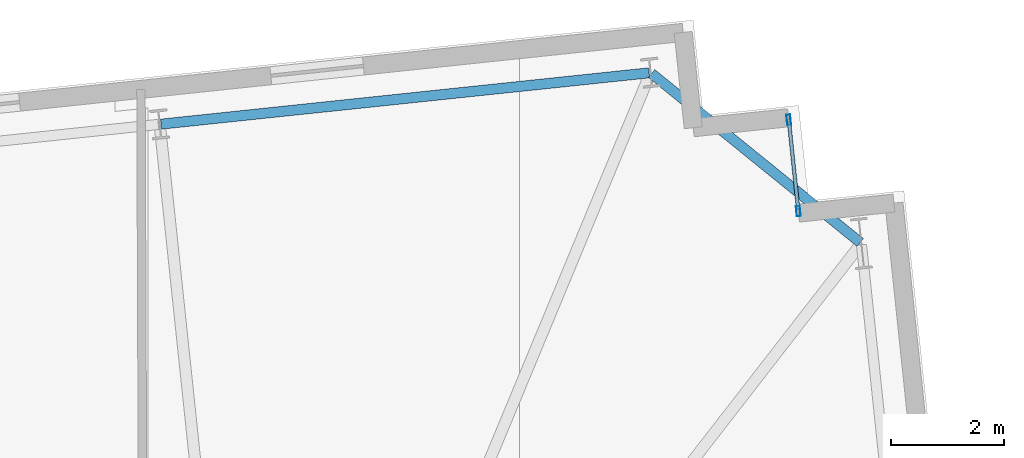
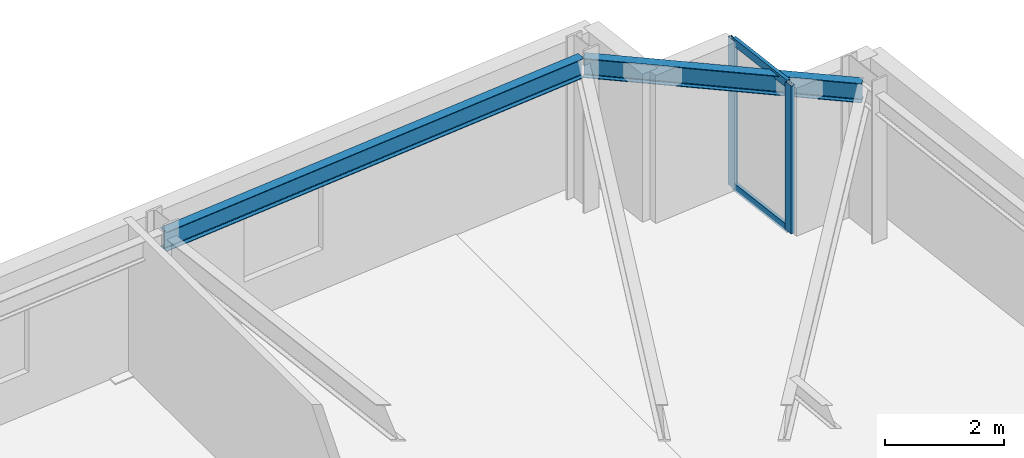
# One storey, part 10 of 20: 4 members, 2 beams, 1 element without a shape of its own.
"""IFC4 building model written with IfcOpenShell, lengths in metres."""

import ifcopenshell
import ifcopenshell.guid

model = None  # the IFC model being written
_history = None  # IfcOwnerHistory: only IFC2X3 demands one
_inside = {}  # id of a spatial element -> (the spatial element, [elements in it])
_under = {}  # id of a project, library or spatial element -> (it, [spatial elements below it])
_declared = {}  # id of a project -> (the project, [libraries it declares])
_typed = {}  # id of a type object -> (the type object, [elements of that type])
_made_of = {}  # id of a material, layer set ... -> (it, [elements and type objects made of it])


def new_model(schema):
    """Start an empty IFC model of exactly this schema.

    Asked for "IFC4X3", IfcOpenShell would pick the latest addendum, in which some entities
    have other attributes; the version numbers below select the first issue.
    IFC2X3 requires an IfcOwnerHistory on every rooted entity: one is made here for all.
    """
    global model, _history
    if schema == "IFC4X3":
        model = ifcopenshell.file(schema_version=(4, 3, 0, 0))
    else:
        model = ifcopenshell.file(schema=schema)
    _inside.clear()
    _under.clear()
    _declared.clear()
    _typed.clear()
    _made_of.clear()
    _history = None
    if model.schema == "IFC2X3":
        org = make("IfcOrganization", Name="unknown")
        user = make(
            "IfcPersonAndOrganization",
            ThePerson=make("IfcPerson", FamilyName="unknown"),
            TheOrganization=org,
        )
        app = make(
            "IfcApplication",
            ApplicationDeveloper=org,
            Version="unknown",
            ApplicationFullName="unknown",
            ApplicationIdentifier="unknown",
        )
        _history = make(
            "IfcOwnerHistory",
            OwningUser=user,
            OwningApplication=app,
            ChangeAction="ADDED",
            CreationDate=0,
        )
    return model


def make(cls, **values):
    """One entity of the class cls with the attributes given. An attribute that is None is left unset."""
    return model.create_entity(
        cls, **{name: value for name, value in values.items() if value is not None}
    )


def rooted(cls, **values):
    """An entity with a GlobalId (a new one), such as an element, a storey or a relation."""
    return make(cls, GlobalId=ifcopenshell.guid.new(), OwnerHistory=_history, **values)


def si_unit(unit_type, name, prefix=None):
    """IfcSIUnit, for example si_unit("LENGTHUNIT", "METRE", prefix="MILLI")."""
    return make("IfcSIUnit", UnitType=unit_type, Prefix=prefix, Name=name)


def assignment(units):
    """IfcUnitAssignment: the units of a project."""
    return None if units is None else make("IfcUnitAssignment", Units=units)


def point(xyz):
    """IfcCartesianPoint."""
    return None if xyz is None else make("IfcCartesianPoint", Coordinates=xyz)


def direction(xyz):
    """IfcDirection."""
    return None if xyz is None else make("IfcDirection", DirectionRatios=xyz)


def frame(location, z_axis=None, x_axis=None):
    """IfcAxis2Placement3D, a coordinate frame: its origin and axes. An axis left out is left unset."""
    return make(
        "IfcAxis2Placement3D",
        Location=point(location),
        Axis=direction(z_axis),
        RefDirection=direction(x_axis),
    )


def frame_2d(location, x_axis=None):
    """IfcAxis2Placement2D, a coordinate frame in the plane: its origin and x axis."""
    return make(
        "IfcAxis2Placement2D", Location=point(location), RefDirection=direction(x_axis)
    )


def origin():
    """The frame at (0, 0, 0) with its axes left unset."""
    return frame((0.0, 0.0, 0.0))


def origin_2d():
    """The frame at (0, 0) in the plane with its x axis left unset."""
    return frame_2d((0.0, 0.0))


def place(relative_to, where):
    """IfcLocalPlacement: puts the frame where relative to a parent placement (None: the world)."""
    return make(
        "IfcLocalPlacement", PlacementRelTo=relative_to, RelativePlacement=where
    )


def context(
    kind, dimensions, precision=None, world=None, true_north=None, identifier=None
):
    """IfcGeometricRepresentationContext, for example the 3D "Model" context."""
    return make(
        "IfcGeometricRepresentationContext",
        ContextIdentifier=identifier,
        ContextType=kind,
        CoordinateSpaceDimension=dimensions,
        Precision=precision,
        WorldCoordinateSystem=world,
        TrueNorth=true_north,
    )


def subcontext(parent, identifier, kind, view, scale=None):
    """IfcGeometricRepresentationSubContext, for example "Body" below "Model"."""
    return make(
        "IfcGeometricRepresentationSubContext",
        ContextIdentifier=identifier,
        ContextType=kind,
        ParentContext=parent,
        TargetScale=scale,
        TargetView=view,
    )


def project(units=None, contexts=None):
    """IfcProject with its units and contexts."""
    return rooted(
        "IfcProject",
        Name="project",
        RepresentationContexts=contexts,
        UnitsInContext=assignment(units),
    )


def spatial(cls, under=None, at=None, **own):
    """A site, building, storey or space (cls), placed at a placement, below another one or the project."""
    s = rooted(cls, ObjectPlacement=at, **own)
    if under is not None:
        _under.setdefault(under.id(), (under, []))[1].append(s)
    return s


def profile(cls, at=None, kind="AREA", **sizes):
    """A parametric profile (cls). Its sizes go by their IFC names, for example OverallWidth=200.0."""
    return make(cls, ProfileType=kind, Position=at, **sizes)


def hollow_rectangle(**sizes):
    """IfcRectangleHollowProfileDef."""
    return profile("IfcRectangleHollowProfileDef", **sizes)


def i_section(**sizes):
    """IfcIShapeProfileDef."""
    return profile("IfcIShapeProfileDef", **sizes)


def extrude(swept, where, along, depth):
    """IfcExtrudedAreaSolid: the profile swept, set in the frame where, extruded along a direction by depth."""
    return make(
        "IfcExtrudedAreaSolid",
        SweptArea=swept,
        Position=where,
        ExtrudedDirection=direction(along),
        Depth=depth,
    )


def shape(context_of_items, identifier, shape_type, items):
    """IfcShapeRepresentation: the items that make up one representation, for example the "Body"."""
    return make(
        "IfcShapeRepresentation",
        ContextOfItems=context_of_items,
        RepresentationIdentifier=identifier,
        RepresentationType=shape_type,
        Items=items,
    )


def material(Name=None, Category=None):
    """IfcMaterial."""
    return make("IfcMaterial", Name=Name, Category=Category)


def layer(
    of_material, thickness, ventilated=None, Name=None, Category=None, Priority=None
):
    """IfcMaterialLayer: one layer of a wall or slab, of a material (None: an air gap)."""
    return make(
        "IfcMaterialLayer",
        Material=of_material,
        LayerThickness=thickness,
        IsVentilated=ventilated,
        Name=Name,
        Category=Category,
        Priority=Priority,
    )


def layer_set(layers, Name=None):
    """IfcMaterialLayerSet."""
    return make("IfcMaterialLayerSet", MaterialLayers=layers, LayerSetName=Name)


def material_profile(
    of_material, cross_section, Name=None, Category=None, Priority=None
):
    """IfcMaterialProfile: a cross section and its material."""
    return make(
        "IfcMaterialProfile",
        Name=Name,
        Material=of_material,
        Profile=cross_section,
        Priority=Priority,
        Category=Category,
    )


def profile_set(profiles, Name=None, composite=None):
    """IfcMaterialProfileSet."""
    return make(
        "IfcMaterialProfileSet",
        Name=Name,
        MaterialProfiles=profiles,
        CompositeProfile=composite,
    )


def made_of(thing, what):
    """Note that an element or type object is made of a material, layer set ...; save() writes the relation."""
    if what is not None:
        _made_of.setdefault(what.id(), (what, []))[1].append(thing)
    return thing


def type_object(cls, material=None, **own):
    """A type object (cls), such as IfcWallType, which elements share."""
    return made_of(rooted(cls, **own), material)


def element(
    cls,
    number,
    at=None,
    inside=None,
    cuts=None,
    type_object=None,
    material=None,
    context=None,
    identifier="Body",
    shape_type=None,
    held_by="IfcProductDefinitionShape",
    body=None,
    shapes=None,
    **own,
):
    """One element of the class cls, such as IfcWall. Its Tag is "e" and its number.

    at: its placement. inside: the storey or other place that contains it. cuts: it is an
    opening in that element (IfcRelVoidsElement). A single representation is given by context,
    identifier, shape_type and body (its items); several are given by shapes. held_by: the class
    of the entity that holds the representations. save() writes the other relations.
    """
    e = rooted(cls, Tag="e%d" % number, ObjectPlacement=at, **own)
    if body is not None:
        shapes = [shape(context, identifier, shape_type, body)]
    if shapes is not None:
        e.Representation = make(held_by, Representations=shapes)
    if inside is not None:
        _inside.setdefault(inside.id(), (inside, []))[1].append(e)
    if cuts is not None:
        rooted(
            "IfcRelVoidsElement", RelatingBuildingElement=cuts, RelatedOpeningElement=e
        )
    if type_object is not None:
        _typed.setdefault(type_object.id(), (type_object, []))[1].append(e)
    return made_of(e, material)


def aggregate(whole, parts):
    """IfcRelAggregates: a whole, such as a stair, and the parts it consists of."""
    return rooted("IfcRelAggregates", RelatingObject=whole, RelatedObjects=parts)


def save(model, path):
    """Write the relations noted so far, then the file.

    IfcRelAggregates (storeys below a building ...), IfcRelContainedInSpatialStructure (elements
    in a storey), IfcRelDefinesByType, IfcRelAssociatesMaterial and IfcRelDeclares: one each for
    every whole, place, type object, material and project.
    """
    for whole, parts in _under.values():
        aggregate(whole, parts)
    for where, things in _inside.values():
        rooted(
            "IfcRelContainedInSpatialStructure",
            RelatedElements=things,
            RelatingStructure=where,
        )
    for kind, things in _typed.values():
        rooted("IfcRelDefinesByType", RelatedObjects=things, RelatingType=kind)
    for what, things in _made_of.values():
        rooted("IfcRelAssociatesMaterial", RelatedObjects=things, RelatingMaterial=what)
    for by, libraries in _declared.values():
        rooted("IfcRelDeclares", RelatingContext=by, RelatedDefinitions=libraries)
    model.write(path)


model = new_model("IFC4")

# Units and contexts
model_context = context("Model", 3, precision=1e-05, world=origin(), true_north=direction((0.0, 1.0)))
body_context = subcontext(model_context, "Body", "Model", "MODEL_VIEW")
ifc_project = project(units=[si_unit("LENGTHUNIT", "METRE"), si_unit("AREAUNIT", "SQUARE_METRE"), si_unit("VOLUMEUNIT", "CUBIC_METRE"), si_unit("PLANEANGLEUNIT", "RADIAN"), si_unit("MASSUNIT", "GRAM", prefix="KILO")], contexts=[model_context])

# Site, building, storey
site_placement = place(None, origin())
site = spatial("IfcSite", under=ifc_project, at=site_placement, CompositionType="ELEMENT")
building_placement = place(site_placement, origin())
building = spatial("IfcBuilding", under=site, at=building_placement, Name="Qobustan Lattice House", CompositionType="ELEMENT")
storey_placement = place(building_placement, frame((0.0, 0.0, 89.050048828125)))
storey = spatial("IfcBuildingStorey", under=building, at=storey_placement, Name="L24", CompositionType="ELEMENT", Elevation=89.050048828125)

# Beams
ifc_material_1 = material(Name="Steel S355", Category="steel")
ifc_material_profile_1 = material_profile(ifc_material_1, i_section(OverallWidth=0.179931640625, OverallDepth=0.39990234375, WebThickness=0.008544921875, FlangeThickness=0.013427734375, FilletRadius=0.02099609375, at=origin_2d()), Name="IPE400")
ifc_profile_set_1 = profile_set([ifc_material_profile_1], Name="Steel S355")
beam_type = type_object("IfcBeamType", Name="BM-SPD-IPE400", PredefinedType="SPANDREL", material=ifc_profile_set_1)
beam_1_placement = place(storey_placement, frame((29.536865234375, 19.484619140625, 2.844970703125), z_axis=(-0.777140911545, 0.629326627121, 0.0), x_axis=(-0.629326627121, -0.777140911545, 0.0)))
element("IfcBeam", 1, at=beam_1_placement, inside=storey, type_object=beam_type, Name="L24 perimeter spandrel E4-N1", PredefinedType="SPANDREL", context=body_context, shape_type="SweptSolid", body=[
    extrude(i_section(OverallWidth=0.179931640625, OverallDepth=0.39990234375, WebThickness=0.008544921875, FlangeThickness=0.013427734375, FilletRadius=0.02099609375, at=origin_2d()), origin(), (0.0, 0.0, 1.0), 4.758544921875),
])
beam_2_placement = place(storey_placement, frame((25.794677734375, 22.492431640625, 2.844970703125), z_axis=(-0.994521586424, -0.104531402636, 0.0), x_axis=(0.104531402636, -0.994521586424, 0.0)))
element("IfcBeam", 2, at=beam_2_placement, inside=storey, type_object=beam_type, Name="L24 perimeter spandrel N1-N2", PredefinedType="SPANDREL", context=body_context, shape_type="SweptSolid", body=[
    extrude(i_section(OverallWidth=0.179931640625, OverallDepth=0.39990234375, WebThickness=0.008544921875, FlangeThickness=0.013427734375, FilletRadius=0.02099609375, at=origin_2d()), origin(), (0.0, 0.0, 1.0), 8.699951171875),
])

# Curtain wall, members
ifc_material_2 = material(Name="Anodised aluminium and low-E glazing", Category="aluminium")
ifc_layer = layer(ifc_material_2, 0.219970703125)
ifc_layer_set = layer_set([ifc_layer], Name="Anodised aluminium and low-E glazing")
curtain_wall_type = type_object("IfcCurtainWallType", Name="CW-FAC-01", PredefinedType="USERDEFINED", material=ifc_layer_set)
curtain_wall_placement = place(storey_placement, origin())
curtain_wall = element("IfcCurtainWall", 3, at=curtain_wall_placement, inside=storey, type_object=curtain_wall_type, Name="L24 serrated corner faceted glazing 13", ObjectType="CURTAIN WALL", PredefinedType="USERDEFINED")
ifc_material_3 = material(Name="Anodised aluminium EN AW-6063 T6", Category="aluminium")
ifc_material_profile_2 = material_profile(ifc_material_3, hollow_rectangle(XDim=0.070068359375, YDim=0.179931640625, WallThickness=0.00439453125, at=origin_2d()), Name="CWM-180x70")
ifc_profile_set_2 = profile_set([ifc_material_profile_2], Name="Anodised aluminium EN AW-6063 T6")
member_type_1 = type_object("IfcMemberType", Name="CWM-STD-180", PredefinedType="MULLION", material=ifc_profile_set_2)
member_1_placement = place(storey_placement, frame((28.27001953125, 21.66162109375, 0.0), z_axis=(0.0, 0.0, 1.0), x_axis=(0.994521878892, 0.104528620025, 0.0)))
member_1 = element("IfcMember", 4, at=member_1_placement, type_object=member_type_1, Name="CW-F1 mullion 1", PredefinedType="MULLION", context=body_context, shape_type="SweptSolid", body=[
    extrude(hollow_rectangle(XDim=0.070068359375, YDim=0.179931640625, WallThickness=0.00439453125, at=origin_2d()), origin(), (0.0, 0.0, 1.0), 3.044921875),
])
member_2_placement = place(storey_placement, frame((28.4404296875, 20.04052734375, 0.0), z_axis=(0.0, 0.0, 1.0), x_axis=(0.994521878892, 0.104528620025, 0.0)))
member_2 = element("IfcMember", 5, at=member_2_placement, type_object=member_type_1, Name="CW-F1 mullion 2", PredefinedType="MULLION", context=body_context, shape_type="SweptSolid", body=[
    extrude(hollow_rectangle(XDim=0.070068359375, YDim=0.179931640625, WallThickness=0.00439453125, at=origin_2d()), origin(), (0.0, 0.0, 1.0), 3.044921875),
])
ifc_material_4 = material(Name="Anodised aluminium EN AW-6063 T6", Category="aluminium")
ifc_material_profile_3 = material_profile(ifc_material_4, hollow_rectangle(XDim=0.06494140625, YDim=0.159912109375, WallThickness=0.00390625, at=origin_2d()), Name="CWT-160x65")
ifc_profile_set_3 = profile_set([ifc_material_profile_3], Name="Anodised aluminium EN AW-6063 T6")
member_type_2 = type_object("IfcMemberType", Name="CWT-HOR-160", PredefinedType="USERDEFINED", material=ifc_profile_set_3)
member_3_placement = place(storey_placement, frame((28.273681640625, 21.626708984375, 0.032470703125), z_axis=(0.104538150424, -0.994520877159, 0.0), x_axis=(0.994520877159, 0.104538150424, 0.0)))
member_3 = element("IfcMember", 6, at=member_3_placement, type_object=member_type_2, Name="CW-F1 transom 1.1", ObjectType="TRANSOM", PredefinedType="USERDEFINED", context=body_context, shape_type="SweptSolid", body=[
    extrude(hollow_rectangle(XDim=0.06494140625, YDim=0.159912109375, WallThickness=0.00390625, at=origin_2d()), origin(), (0.0, 0.0, 1.0), 1.56005859375),
])
member_4_placement = place(storey_placement, frame((28.273681640625, 21.626708984375, 3.012451171875), z_axis=(0.104538150424, -0.994520877159, 0.0), x_axis=(0.994520877159, 0.104538150424, 0.0)))
member_4 = element("IfcMember", 7, at=member_4_placement, type_object=member_type_2, Name="CW-F1 transom 1.2", ObjectType="TRANSOM", PredefinedType="USERDEFINED", context=body_context, shape_type="SweptSolid", body=[
    extrude(hollow_rectangle(XDim=0.06494140625, YDim=0.159912109375, WallThickness=0.00390625, at=origin_2d()), origin(), (0.0, 0.0, 1.0), 1.56005859375),
])
aggregate(curtain_wall, [member_1, member_2, member_3, member_4])

save(model, "model.ifc")
